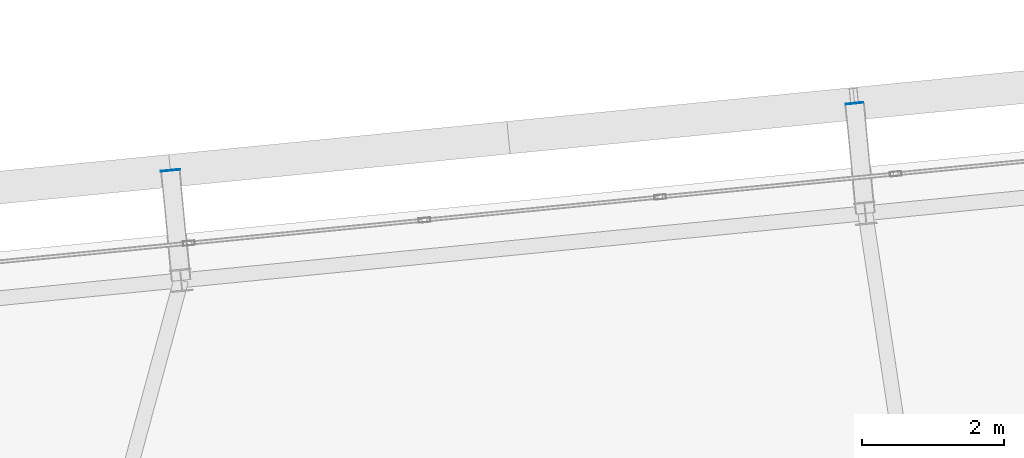
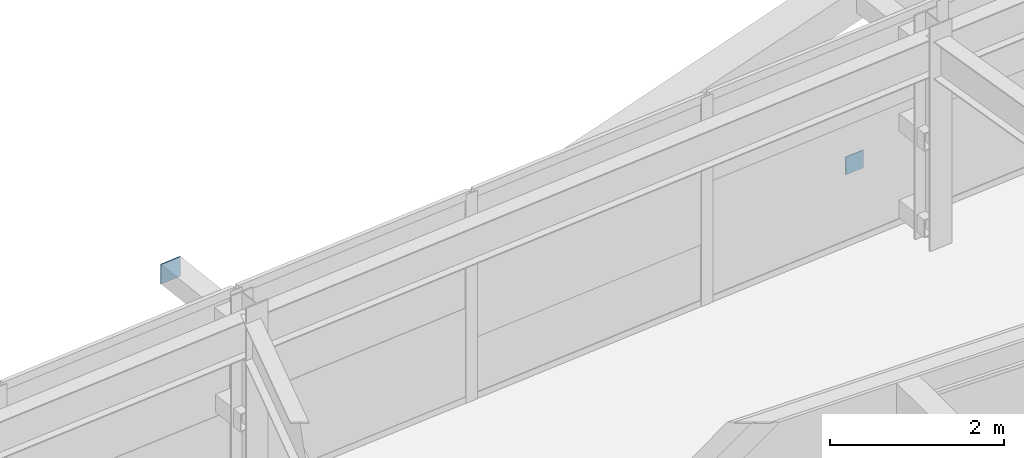
# One storey, part 44 of 52: 2 plates.
"""IFC4 building model written with IfcOpenShell, lengths in metres."""

from ifc_helpers import new_model, si_unit, direction, frame, origin, origin_2d, place, context, subcontext, project, spatial, rectangle, extrude, source, transform, mapped, material, layer, layer_set, type_object, element, save


model = new_model("IFC4")

# Units and contexts
model_context = context("Model", 3, precision=1e-05, world=origin(), true_north=direction((0.0, 1.0)))
body_context = subcontext(model_context, "Body", "Model", "MODEL_VIEW")
ifc_project = project(units=[si_unit("LENGTHUNIT", "METRE"), si_unit("AREAUNIT", "SQUARE_METRE"), si_unit("VOLUMEUNIT", "CUBIC_METRE"), si_unit("PLANEANGLEUNIT", "RADIAN"), si_unit("MASSUNIT", "GRAM", prefix="KILO")], contexts=[model_context])

# Site, building, storey
site_placement = place(None, origin())
site = spatial("IfcSite", under=ifc_project, at=site_placement, CompositionType="ELEMENT")
building_placement = place(site_placement, origin())
building = spatial("IfcBuilding", under=site, at=building_placement, Name="Taldren Reach Tower", CompositionType="ELEMENT")
storey_placement = place(building_placement, frame((0.0, 0.0, 77.699951171875)))
storey = spatial("IfcBuildingStorey", under=building, at=storey_placement, Name="L23", CompositionType="ELEMENT", Elevation=77.699951171875)

# Plates
ifc_material_1 = material(Name="Steel Gr 450 (C450L0)", Category="steel")
ifc_layer_1 = layer(ifc_material_1, 0.011962890625)
ifc_layer_set_1 = layer_set([ifc_layer_1], Name="Steel Gr 450 (C450L0)")
plate_type_1 = type_object("IfcPlateType", Name="PL-CAP-275", PredefinedType="SHEET", material=ifc_layer_set_1)
shared_shape_1 = source(origin(), body_context, "Body", "SweptSolid", [
    extrude(rectangle(XDim=0.27490234375, YDim=0.011962890625, at=origin_2d()), origin(), (0.0, 0.0, 1.0), 0.27490234375),
])
plate_1_placement = place(storey_placement, frame((40.346435546875, 38.33935546875, 2.5126953125), z_axis=(0.0, 0.0, 1.0), x_axis=(0.995227399982, 0.097582899759, 0.0)))
element("IfcPlate", 1, at=plate_1_placement, inside=storey, type_object=plate_type_1, Name="Tie strut end cap plate B2-N4 L23", PredefinedType="SHEET", context=body_context, shape_type="MappedRepresentation", body=[
    mapped(shared_shape_1, transform((0.0, 0.0, 0.0), scale=1.0)),
])
ifc_material_2 = material(Name="Steel Gr 350 (C350L0)", Category="steel")
ifc_layer_2 = layer(ifc_material_2, 0.011962890625)
ifc_layer_set_2 = layer_set([ifc_layer_2], Name="Steel Gr 350 (C350L0)")
plate_type_2 = type_object("IfcPlateType", Name="PL-CAP-250", PredefinedType="SHEET", material=ifc_layer_set_2)
shared_shape_2 = source(origin(), body_context, "Body", "SweptSolid", [
    extrude(rectangle(XDim=0.25, YDim=0.011962890625, at=origin_2d()), origin(), (0.0, 0.0, 1.0), 0.25),
])
plate_2_placement = place(storey_placement, frame((49.980224609375, 39.283935546875, 0.094970703125), z_axis=(0.0, 0.0, 1.0), x_axis=(0.995227399982, 0.097582899759, 0.0)))
element("IfcPlate", 2, at=plate_2_placement, inside=storey, type_object=plate_type_2, Name="Tie strut end cap plate B2-N5 L23", PredefinedType="SHEET", context=body_context, shape_type="MappedRepresentation", body=[
    mapped(shared_shape_2, transform((0.0, 0.0, 0.0), scale=1.0)),
])

save(model, "model.ifc")
